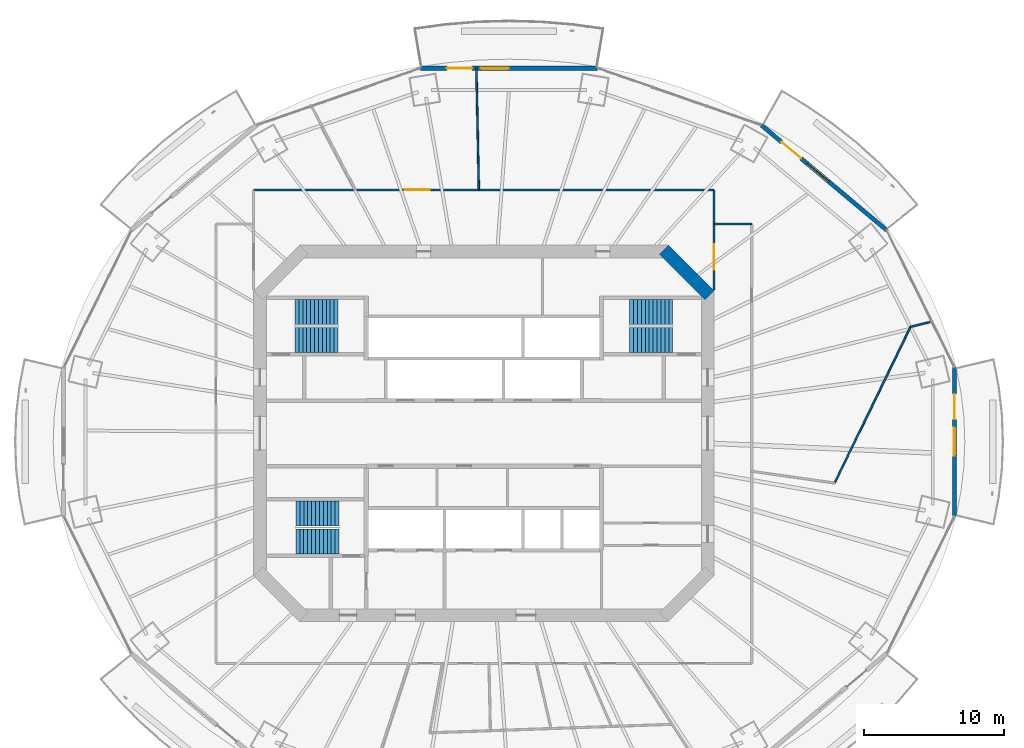
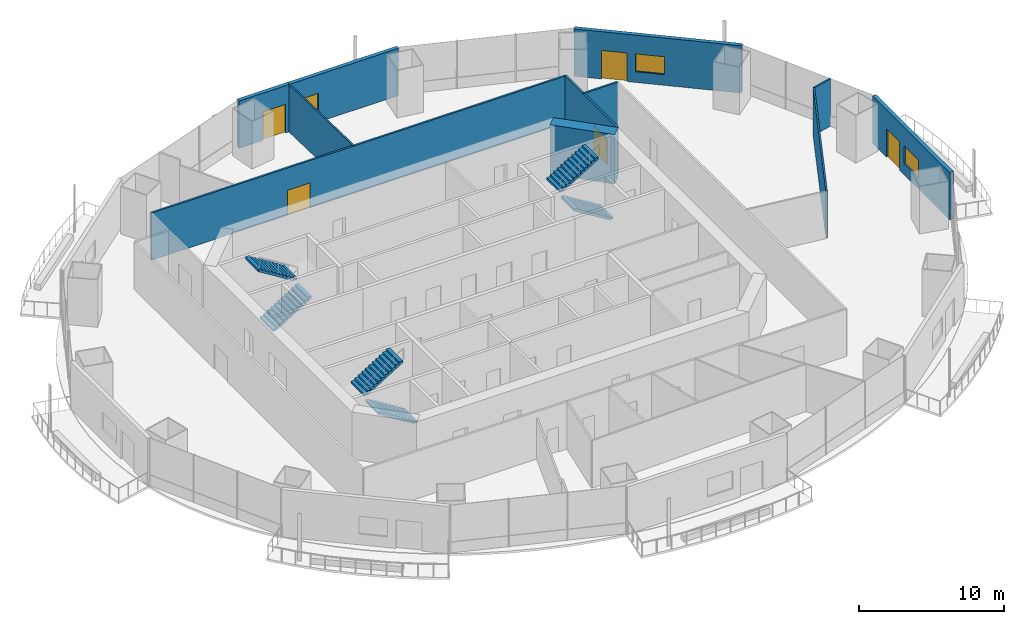
# One storey, part 14 of 20: 10 walls, 6 stair flights, 5 doors, 3 windows, 8 openings, 3 elements without a shape of their own.
"""IFC4 building model written with IfcOpenShell, lengths in metres."""

import ifcopenshell
import ifcopenshell.guid

model = None  # the IFC model being written
_history = None  # IfcOwnerHistory: only IFC2X3 demands one
_inside = {}  # id of a spatial element -> (the spatial element, [elements in it])
_under = {}  # id of a project, library or spatial element -> (it, [spatial elements below it])
_declared = {}  # id of a project -> (the project, [libraries it declares])
_typed = {}  # id of a type object -> (the type object, [elements of that type])
_made_of = {}  # id of a material, layer set ... -> (it, [elements and type objects made of it])


def new_model(schema):
    """Start an empty IFC model of exactly this schema.

    Asked for "IFC4X3", IfcOpenShell would pick the latest addendum, in which some entities
    have other attributes; the version numbers below select the first issue.
    IFC2X3 requires an IfcOwnerHistory on every rooted entity: one is made here for all.
    """
    global model, _history
    if schema == "IFC4X3":
        model = ifcopenshell.file(schema_version=(4, 3, 0, 0))
    else:
        model = ifcopenshell.file(schema=schema)
    _inside.clear()
    _under.clear()
    _declared.clear()
    _typed.clear()
    _made_of.clear()
    _history = None
    if model.schema == "IFC2X3":
        org = make("IfcOrganization", Name="unknown")
        user = make(
            "IfcPersonAndOrganization",
            ThePerson=make("IfcPerson", FamilyName="unknown"),
            TheOrganization=org,
        )
        app = make(
            "IfcApplication",
            ApplicationDeveloper=org,
            Version="unknown",
            ApplicationFullName="unknown",
            ApplicationIdentifier="unknown",
        )
        _history = make(
            "IfcOwnerHistory",
            OwningUser=user,
            OwningApplication=app,
            ChangeAction="ADDED",
            CreationDate=0,
        )
    return model


def make(cls, **values):
    """One entity of the class cls with the attributes given. An attribute that is None is left unset."""
    return model.create_entity(
        cls, **{name: value for name, value in values.items() if value is not None}
    )


def rooted(cls, **values):
    """An entity with a GlobalId (a new one), such as an element, a storey or a relation."""
    return make(cls, GlobalId=ifcopenshell.guid.new(), OwnerHistory=_history, **values)


def si_unit(unit_type, name, prefix=None):
    """IfcSIUnit, for example si_unit("LENGTHUNIT", "METRE", prefix="MILLI")."""
    return make("IfcSIUnit", UnitType=unit_type, Prefix=prefix, Name=name)


def assignment(units):
    """IfcUnitAssignment: the units of a project."""
    return None if units is None else make("IfcUnitAssignment", Units=units)


def point(xyz):
    """IfcCartesianPoint."""
    return None if xyz is None else make("IfcCartesianPoint", Coordinates=xyz)


def direction(xyz):
    """IfcDirection."""
    return None if xyz is None else make("IfcDirection", DirectionRatios=xyz)


def frame(location, z_axis=None, x_axis=None):
    """IfcAxis2Placement3D, a coordinate frame: its origin and axes. An axis left out is left unset."""
    return make(
        "IfcAxis2Placement3D",
        Location=point(location),
        Axis=direction(z_axis),
        RefDirection=direction(x_axis),
    )


def frame_2d(location, x_axis=None):
    """IfcAxis2Placement2D, a coordinate frame in the plane: its origin and x axis."""
    return make(
        "IfcAxis2Placement2D", Location=point(location), RefDirection=direction(x_axis)
    )


def origin():
    """The frame at (0, 0, 0) with its axes left unset."""
    return frame((0.0, 0.0, 0.0))


def place(relative_to, where):
    """IfcLocalPlacement: puts the frame where relative to a parent placement (None: the world)."""
    return make(
        "IfcLocalPlacement", PlacementRelTo=relative_to, RelativePlacement=where
    )


def context(
    kind, dimensions, precision=None, world=None, true_north=None, identifier=None
):
    """IfcGeometricRepresentationContext, for example the 3D "Model" context."""
    return make(
        "IfcGeometricRepresentationContext",
        ContextIdentifier=identifier,
        ContextType=kind,
        CoordinateSpaceDimension=dimensions,
        Precision=precision,
        WorldCoordinateSystem=world,
        TrueNorth=true_north,
    )


def subcontext(parent, identifier, kind, view, scale=None):
    """IfcGeometricRepresentationSubContext, for example "Body" below "Model"."""
    return make(
        "IfcGeometricRepresentationSubContext",
        ContextIdentifier=identifier,
        ContextType=kind,
        ParentContext=parent,
        TargetScale=scale,
        TargetView=view,
    )


def project(units=None, contexts=None):
    """IfcProject with its units and contexts."""
    return rooted(
        "IfcProject",
        Name="project",
        RepresentationContexts=contexts,
        UnitsInContext=assignment(units),
    )


def spatial(cls, under=None, at=None, **own):
    """A site, building, storey or space (cls), placed at a placement, below another one or the project."""
    s = rooted(cls, ObjectPlacement=at, **own)
    if under is not None:
        _under.setdefault(under.id(), (under, []))[1].append(s)
    return s


def polyline(points):
    """IfcPolyline through the points."""
    return make("IfcPolyline", Points=[point(p) for p in points])


def profile(cls, at=None, kind="AREA", **sizes):
    """A parametric profile (cls). Its sizes go by their IFC names, for example OverallWidth=200.0."""
    return make(cls, ProfileType=kind, Position=at, **sizes)


def rectangle(**sizes):
    """IfcRectangleProfileDef."""
    return profile("IfcRectangleProfileDef", **sizes)


def outline(outer, holes=None, kind="AREA"):
    """IfcArbitraryClosedProfileDef: a profile drawn as a closed curve; with holes, ...WithVoids."""
    if holes is None:
        return make("IfcArbitraryClosedProfileDef", ProfileType=kind, OuterCurve=outer)
    return make(
        "IfcArbitraryProfileDefWithVoids",
        ProfileType=kind,
        OuterCurve=outer,
        InnerCurves=holes,
    )


def extrude(swept, where, along, depth):
    """IfcExtrudedAreaSolid: the profile swept, set in the frame where, extruded along a direction by depth."""
    return make(
        "IfcExtrudedAreaSolid",
        SweptArea=swept,
        Position=where,
        ExtrudedDirection=direction(along),
        Depth=depth,
    )


def shape(context_of_items, identifier, shape_type, items):
    """IfcShapeRepresentation: the items that make up one representation, for example the "Body"."""
    return make(
        "IfcShapeRepresentation",
        ContextOfItems=context_of_items,
        RepresentationIdentifier=identifier,
        RepresentationType=shape_type,
        Items=items,
    )


def material(Name=None, Category=None):
    """IfcMaterial."""
    return make("IfcMaterial", Name=Name, Category=Category)


def layer(
    of_material, thickness, ventilated=None, Name=None, Category=None, Priority=None
):
    """IfcMaterialLayer: one layer of a wall or slab, of a material (None: an air gap)."""
    return make(
        "IfcMaterialLayer",
        Material=of_material,
        LayerThickness=thickness,
        IsVentilated=ventilated,
        Name=Name,
        Category=Category,
        Priority=Priority,
    )


def layer_set(layers, Name=None):
    """IfcMaterialLayerSet."""
    return make("IfcMaterialLayerSet", MaterialLayers=layers, LayerSetName=Name)


def made_of(thing, what):
    """Note that an element or type object is made of a material, layer set ...; save() writes the relation."""
    if what is not None:
        _made_of.setdefault(what.id(), (what, []))[1].append(thing)
    return thing


def type_object(cls, material=None, **own):
    """A type object (cls), such as IfcWallType, which elements share."""
    return made_of(rooted(cls, **own), material)


def element(
    cls,
    number,
    at=None,
    inside=None,
    cuts=None,
    type_object=None,
    material=None,
    context=None,
    identifier="Body",
    shape_type=None,
    held_by="IfcProductDefinitionShape",
    body=None,
    shapes=None,
    **own,
):
    """One element of the class cls, such as IfcWall. Its Tag is "e" and its number.

    at: its placement. inside: the storey or other place that contains it. cuts: it is an
    opening in that element (IfcRelVoidsElement). A single representation is given by context,
    identifier, shape_type and body (its items); several are given by shapes. held_by: the class
    of the entity that holds the representations. save() writes the other relations.
    """
    e = rooted(cls, Tag="e%d" % number, ObjectPlacement=at, **own)
    if body is not None:
        shapes = [shape(context, identifier, shape_type, body)]
    if shapes is not None:
        e.Representation = make(held_by, Representations=shapes)
    if inside is not None:
        _inside.setdefault(inside.id(), (inside, []))[1].append(e)
    if cuts is not None:
        rooted(
            "IfcRelVoidsElement", RelatingBuildingElement=cuts, RelatedOpeningElement=e
        )
    if type_object is not None:
        _typed.setdefault(type_object.id(), (type_object, []))[1].append(e)
    return made_of(e, material)


def fill(opening, filler):
    """IfcRelFillsElement: the door or window that sits in an opening."""
    return rooted(
        "IfcRelFillsElement",
        RelatingOpeningElement=opening,
        RelatedBuildingElement=filler,
    )


def aggregate(whole, parts):
    """IfcRelAggregates: a whole, such as a stair, and the parts it consists of."""
    return rooted("IfcRelAggregates", RelatingObject=whole, RelatedObjects=parts)


def save(model, path):
    """Write the relations noted so far, then the file.

    IfcRelAggregates (storeys below a building ...), IfcRelContainedInSpatialStructure (elements
    in a storey), IfcRelDefinesByType, IfcRelAssociatesMaterial and IfcRelDeclares: one each for
    every whole, place, type object, material and project.
    """
    for whole, parts in _under.values():
        aggregate(whole, parts)
    for where, things in _inside.values():
        rooted(
            "IfcRelContainedInSpatialStructure",
            RelatedElements=things,
            RelatingStructure=where,
        )
    for kind, things in _typed.values():
        rooted("IfcRelDefinesByType", RelatedObjects=things, RelatingType=kind)
    for what, things in _made_of.values():
        rooted("IfcRelAssociatesMaterial", RelatedObjects=things, RelatingMaterial=what)
    for by, libraries in _declared.values():
        rooted("IfcRelDeclares", RelatingContext=by, RelatedDefinitions=libraries)
    model.write(path)


model = new_model("IFC4")

# Units and contexts
model_context = context("Model", 3, precision=1e-05, world=origin(), true_north=direction((0.0, 1.0)))
body_context = subcontext(model_context, "Body", "Model", "MODEL_VIEW")
ifc_project = project(units=[si_unit("LENGTHUNIT", "METRE"), si_unit("AREAUNIT", "SQUARE_METRE"), si_unit("VOLUMEUNIT", "CUBIC_METRE"), si_unit("PLANEANGLEUNIT", "RADIAN"), si_unit("MASSUNIT", "GRAM", prefix="KILO")], contexts=[model_context])

# Site, building, storey
site_placement = place(None, origin())
site = spatial("IfcSite", under=ifc_project, at=site_placement, CompositionType="ELEMENT")
building_placement = place(site_placement, origin())
building = spatial("IfcBuilding", under=site, at=building_placement, Name="Marenthal Gate Tower", CompositionType="ELEMENT")
storey_placement = place(building_placement, frame((0.0, 0.0, 177.64990234375)))
storey = spatial("IfcBuildingStorey", under=building, at=storey_placement, Name="L38", CompositionType="ELEMENT", Elevation=177.64990234375)

# Walls
ifc_material_1 = material(Name="Concrete 60 MPa", Category="concrete")
ifc_layer_1 = layer(ifc_material_1, 0.89990234375)
ifc_layer_set_1 = layer_set([ifc_layer_1], Name="Core shear wall 900")
wall_type_1 = type_object("IfcWallType", Name="Core shear wall 900", PredefinedType="SHEAR", material=ifc_layer_set_1)
wall_1_placement = place(storey_placement, frame((16.1318359375, 9.8681640625, -0.179931640625), z_axis=(0.0, 0.0, 1.0), x_axis=(-0.707106781187, 0.707106781187, 0.0)))
element("IfcWall", 1, at=wall_1_placement, inside=storey, type_object=wall_type_1, Name="Core wall 03", PredefinedType="SHEAR", context=body_context, shape_type="SweptSolid", body=[
    extrude(rectangle(XDim=4.615478515625, YDim=0.89990234375, at=frame_2d((2.3076171875, 0.0))), origin(), (0.0, 0.0, 1.0), 4.150146484375),
])
ifc_material_2 = material(Name="Gypsum board on steel studs", Category="steel")
ifc_layer_2 = layer(ifc_material_2, 0.1201171875)
ifc_layer_set_2 = layer_set([ifc_layer_2], Name="Partition 120")
wall_type_2 = type_object("IfcWallType", Name="Partition 120", PredefinedType="PARTITIONING", material=ifc_layer_set_2)
wall_2_placement = place(storey_placement, frame((-0.354736328125, 17.408935546875, 0.0), z_axis=(0.0, 0.0, 1.0), x_axis=(-0.020383295859, 0.999792239043, 0.0)))
element("IfcWall", 2, at=wall_2_placement, inside=storey, type_object=wall_type_2, Name="Partition wall 58", PredefinedType="PARTITIONING", context=body_context, shape_type="SweptSolid", body=[
    extrude(rectangle(XDim=8.695556640625, YDim=0.1201171875, at=frame_2d((4.34765625, 0.0))), origin(), (0.0, 0.0, 1.0), 3.97021484375),
])
wall_3_placement = place(storey_placement, frame((25.072998046875, -3.546630859375, 0.0), z_axis=(0.0, 0.0, 1.0), x_axis=(0.437335020704, 0.899298659882, 0.0)))
element("IfcWall", 3, at=wall_3_placement, inside=storey, type_object=wall_type_2, Name="Partition wall 67", PredefinedType="PARTITIONING", context=body_context, shape_type="SweptSolid", body=[
    extrude(rectangle(XDim=12.410888671875, YDim=0.1201171875, at=frame_2d((6.20556640625, 0.0))), origin(), (0.0, 0.0, 1.0), 3.97021484375),
])
wall_4_placement = place(storey_placement, frame((30.500732421875, 7.614501953125, 0.0), z_axis=(0.0, 0.0, 1.0), x_axis=(0.970252935934, 0.242093453672, 0.0)))
element("IfcWall", 4, at=wall_4_placement, inside=storey, type_object=wall_type_2, Name="Partition wall 69", PredefinedType="PARTITIONING", context=body_context, shape_type="SweptSolid", body=[
    extrude(rectangle(XDim=1.55908203125, YDim=0.1201171875, at=frame_2d((0.779541015625, 0.0))), origin(), (0.0, 0.0, 1.0), 3.97021484375),
])

# Wall, opening, door
ifc_material_3 = material(Name="Gypsum board on steel studs", Category="steel")
ifc_layer_3 = layer(ifc_material_3, 0.14990234375)
ifc_layer_set_3 = layer_set([ifc_layer_3], Name="Partition 150")
wall_type_3 = type_object("IfcWallType", Name="Partition 150", PredefinedType="PARTITIONING", material=ifc_layer_set_3)
wall_5_placement = place(storey_placement, frame((-16.449951171875, 17.408935546875, 0.0), z_axis=(0.0, 0.0, 1.0), x_axis=(1.0, 0.0, 0.0)))
wall_5 = element("IfcWall", 5, at=wall_5_placement, inside=storey, type_object=wall_type_3, Name="Partition wall 53", PredefinedType="PARTITIONING", context=body_context, shape_type="SweptSolid", body=[
    extrude(rectangle(XDim=32.89990234375, YDim=0.14990234375, at=frame_2d((16.449951171875, 0.0))), origin(), (0.0, 0.0, 1.0), 3.97021484375),
])
opening_1_placement = place(wall_5_placement, frame((10.7880859375, 0.0, 0.0)))
opening_1 = element("IfcOpeningElement", 6, at=opening_1_placement, cuts=wall_5, Name="Opening D014.01", PredefinedType="OPENING", context=body_context, shape_type="SweptSolid", body=[
    extrude(rectangle(XDim=1.800048828125, YDim=2.10009765625, at=frame_2d((0.89990234375, 1.050048828125))), frame((0.0, 0.0849609375, 0.0), z_axis=(0.0, -1.0, 0.0), x_axis=(1.0, 0.0, 0.0)), (0.0, 0.0, 1.0), 0.169921875),
])
ifc_material_4 = material(Name="Timber door", Category="wood")
door_type_1 = type_object("IfcDoorType", Name="Double door 1800 x 2100", OperationType="DOUBLE_DOOR_SINGLE_SWING", PredefinedType="DOOR", material=ifc_material_4)
door_1_placement = place(opening_1_placement, origin())
door_1 = element("IfcDoor", 7, at=door_1_placement, inside=storey, type_object=door_type_1, Name="Door D014.01", OperationType="DOUBLE_DOOR_SINGLE_SWING", OverallHeight=2.10009765625, OverallWidth=1.800048828125, PredefinedType="DOOR", context=body_context, shape_type="SweptSolid", body=[
    extrude(rectangle(XDim=1.800048828125, YDim=2.10009765625, at=frame_2d((0.89990234375, 1.050048828125))), frame((0.0, 0.02490234375, 0.0), z_axis=(0.0, -1.0, 0.0), x_axis=(1.0, 0.0, 0.0)), (0.0, 0.0, 1.0), 0.050048828125),
])
fill(opening_1, door_1)

wall_6_placement = place(storey_placement, frame((16.449951171875, 10.25, 0.0), z_axis=(0.0, 0.0, 1.0), x_axis=(0.0, 1.0, 0.0)))
wall_6 = element("IfcWall", 8, at=wall_6_placement, inside=storey, type_object=wall_type_3, Name="Partition wall 63", PredefinedType="PARTITIONING", context=body_context, shape_type="SweptSolid", body=[
    extrude(rectangle(XDim=7.158935546875, YDim=0.14990234375, at=frame_2d((3.57958984375, 0.0))), origin(), (0.0, 0.0, 1.0), 3.97021484375),
])
opening_2_placement = place(wall_6_placement, frame((1.451904296875, 0.0, 0.0)))
opening_2 = element("IfcOpeningElement", 9, at=opening_2_placement, cuts=wall_6, Name="Opening D014.05", PredefinedType="OPENING", context=body_context, shape_type="SweptSolid", body=[
    extrude(rectangle(XDim=1.800048828125, YDim=2.10009765625, at=frame_2d((0.89990234375, 1.050048828125))), frame((0.0, 0.0849609375, 0.0), z_axis=(0.0, -1.0, 0.0), x_axis=(1.0, 0.0, 0.0)), (0.0, 0.0, 1.0), 0.169921875),
])
door_2_placement = place(opening_2_placement, origin())
door_2 = element("IfcDoor", 10, at=door_2_placement, inside=storey, type_object=door_type_1, Name="Door D014.05", OperationType="DOUBLE_DOOR_SINGLE_SWING", OverallHeight=2.10009765625, OverallWidth=1.800048828125, PredefinedType="DOOR", context=body_context, shape_type="SweptSolid", body=[
    extrude(rectangle(XDim=1.800048828125, YDim=2.10009765625, at=frame_2d((0.89990234375, 1.050048828125))), frame((0.0, 0.02490234375, 0.0), z_axis=(0.0, -1.0, 0.0), x_axis=(1.0, 0.0, 0.0)), (0.0, 0.0, 1.0), 0.050048828125),
])
fill(opening_2, door_2)

# Wall
wall_7_placement = place(storey_placement, frame((16.449951171875, 14.954833984375, 0.0), z_axis=(0.0, 0.0, 1.0), x_axis=(1.0, 0.0, 0.0)))
element("IfcWall", 11, at=wall_7_placement, inside=storey, type_object=wall_type_3, Name="Partition wall 64", PredefinedType="PARTITIONING", context=body_context, shape_type="SweptSolid", body=[
    extrude(rectangle(XDim=2.699951171875, YDim=0.14990234375, at=frame_2d((1.35009765625, 0.0))), origin(), (0.0, 0.0, 1.0), 3.97021484375),
])

# Wall, openings, door, window
ifc_material_5 = material(Name="Terracotta cladding on insulated concrete-block backing", Category="masonry")
ifc_layer_4 = layer(ifc_material_5, 0.300048828125)
ifc_layer_set_4 = layer_set([ifc_layer_4], Name="Terracotta facade wall 300")
wall_type_4 = type_object("IfcWallType", Name="Terracotta facade wall 300", PredefinedType="SOLIDWALL", material=ifc_layer_set_4)
wall_8_placement = place(storey_placement, frame((28.787109375, 14.52587890625, 0.0), z_axis=(0.0, 0.0, 1.0), x_axis=(-0.766149077679, 0.642662890458, 0.0)))
wall_8 = element("IfcWall", 12, at=wall_8_placement, inside=storey, type_object=wall_type_4, Name="Terracotta facade wall L38 bay 2", PredefinedType="SOLIDWALL", context=body_context, shape_type="SweptSolid", body=[
    extrude(rectangle(XDim=11.6884765625, YDim=0.300048828125, at=frame_2d((5.84423828125, 0.0))), origin(), (0.0, 0.0, 1.0), 3.97021484375),
])
opening_3_placement = place(wall_8_placement, frame((7.98828125, 0.0, 0.0)))
opening_3 = element("IfcOpeningElement", 13, at=opening_3_placement, cuts=wall_8, Name="Opening BD-L38-02", PredefinedType="OPENING", context=body_context, shape_type="SweptSolid", body=[
    extrude(rectangle(XDim=1.800048828125, YDim=2.39990234375, at=frame_2d((0.89990234375, 1.199951171875))), frame((0.0, 0.16015625, 0.0), z_axis=(0.0, -1.0, 0.0), x_axis=(1.0, 0.0, 0.0)), (0.0, 0.0, 1.0), 0.320068359375),
])
opening_4_placement = place(wall_8_placement, frame((5.38818359375, 0.0, 0.89990234375)))
opening_4 = element("IfcOpeningElement", 14, at=opening_4_placement, cuts=wall_8, Name="Opening WN2-L38-02", PredefinedType="OPENING", context=body_context, shape_type="SweptSolid", body=[
    extrude(rectangle(XDim=2.0, YDim=1.5, at=frame_2d((1.0, 0.75))), frame((0.0, 0.16015625, 0.0), z_axis=(0.0, -1.0, 0.0), x_axis=(1.0, 0.0, 0.0)), (0.0, 0.0, 1.0), 0.320068359375),
])
ifc_material_6 = material(Name="Aluminium and glass", Category="aluminium")
door_type_2 = type_object("IfcDoorType", Name="Balcony door 1800x2400", OperationType="DOUBLE_DOOR_SINGLE_SWING", PredefinedType="DOOR", material=ifc_material_6)
door_3_placement = place(opening_3_placement, origin())
door_3 = element("IfcDoor", 15, at=door_3_placement, inside=storey, type_object=door_type_2, Name="Balcony door L38 bay 2", OperationType="SINGLE_SWING_LEFT", OverallHeight=2.39990234375, OverallWidth=1.800048828125, PredefinedType="DOOR", context=body_context, shape_type="SweptSolid", body=[
    extrude(rectangle(XDim=1.800048828125, YDim=2.39990234375, at=frame_2d((0.89990234375, 1.199951171875))), frame((0.0, 0.02490234375, 0.0), z_axis=(0.0, -1.0, 0.0), x_axis=(1.0, 0.0, 0.0)), (0.0, 0.0, 1.0), 0.050048828125),
])
fill(opening_3, door_3)
ifc_material_7 = material(Name="Aluminium and glass", Category="aluminium")
window_type = type_object("IfcWindowType", Name="Window 2000x1500", PartitioningType="DOUBLE_PANEL_VERTICAL", PredefinedType="WINDOW", material=ifc_material_7)
window_1_placement = place(opening_4_placement, origin())
window_1 = element("IfcWindow", 16, at=window_1_placement, inside=storey, type_object=window_type, Name="Window L38 bay 2", OverallHeight=1.5, OverallWidth=2.0, PartitioningType="SINGLE_PANEL", PredefinedType="WINDOW", context=body_context, shape_type="SweptSolid", body=[
    extrude(rectangle(XDim=2.0, YDim=1.5, at=frame_2d((1.0, 0.75))), frame((0.0, 0.030029296875, 0.0), z_axis=(0.0, -1.0, 0.0), x_axis=(1.0, 0.0, 0.0)), (0.0, 0.0, 1.0), 0.06005859375),
])
fill(opening_4, window_1)

wall_9_placement = place(storey_placement, frame((8.132080078125, 26.102783203125, 0.0), z_axis=(0.0, 0.0, 1.0), x_axis=(-1.0, 0.0, 0.0)))
wall_9 = element("IfcWall", 17, at=wall_9_placement, inside=storey, type_object=wall_type_4, Name="Terracotta facade wall L38 bay 4", PredefinedType="SOLIDWALL", context=body_context, shape_type="SweptSolid", body=[
    extrude(rectangle(XDim=12.6640625, YDim=0.300048828125, at=frame_2d((6.33203125, 0.0))), origin(), (0.0, 0.0, 1.0), 3.97021484375),
])
opening_5_placement = place(wall_9_placement, frame((8.964111328125, 0.0, 0.0)))
opening_5 = element("IfcOpeningElement", 18, at=opening_5_placement, cuts=wall_9, Name="Opening BD-L38-04", PredefinedType="OPENING", context=body_context, shape_type="SweptSolid", body=[
    extrude(rectangle(XDim=1.800048828125, YDim=2.39990234375, at=frame_2d((0.89990234375, 1.199951171875))), frame((0.0, 0.16015625, 0.0), z_axis=(0.0, -1.0, 0.0), x_axis=(1.0, 0.0, 0.0)), (0.0, 0.0, 1.0), 0.320068359375),
])
opening_6_placement = place(wall_9_placement, frame((6.364013671875, 0.0, 0.89990234375)))
opening_6 = element("IfcOpeningElement", 19, at=opening_6_placement, cuts=wall_9, Name="Opening WN2-L38-04", PredefinedType="OPENING", context=body_context, shape_type="SweptSolid", body=[
    extrude(rectangle(XDim=2.0, YDim=1.5, at=frame_2d((1.0, 0.75))), frame((0.0, 0.16015625, 0.0), z_axis=(0.0, -1.0, 0.0), x_axis=(1.0, 0.0, 0.0)), (0.0, 0.0, 1.0), 0.320068359375),
])
door_4_placement = place(opening_5_placement, origin())
door_4 = element("IfcDoor", 20, at=door_4_placement, inside=storey, type_object=door_type_2, Name="Balcony door L38 bay 4", OperationType="SINGLE_SWING_LEFT", OverallHeight=2.39990234375, OverallWidth=1.800048828125, PredefinedType="DOOR", context=body_context, shape_type="SweptSolid", body=[
    extrude(rectangle(XDim=1.800048828125, YDim=2.39990234375, at=frame_2d((0.89990234375, 1.199951171875))), frame((0.0, 0.02490234375, 0.0), z_axis=(0.0, -1.0, 0.0), x_axis=(1.0, 0.0, 0.0)), (0.0, 0.0, 1.0), 0.050048828125),
])
fill(opening_5, door_4)
window_2_placement = place(opening_6_placement, origin())
window_2 = element("IfcWindow", 21, at=window_2_placement, inside=storey, type_object=window_type, Name="Window L38 bay 4", OverallHeight=1.5, OverallWidth=2.0, PartitioningType="SINGLE_PANEL", PredefinedType="WINDOW", context=body_context, shape_type="SweptSolid", body=[
    extrude(rectangle(XDim=2.0, YDim=1.5, at=frame_2d((1.0, 0.75))), frame((0.0, 0.030029296875, 0.0), z_axis=(0.0, -1.0, 0.0), x_axis=(1.0, 0.0, 0.0)), (0.0, 0.0, 1.0), 0.06005859375),
])
fill(opening_6, window_2)

wall_10_placement = place(storey_placement, frame((33.63330078125, -5.91162109375, 0.0), z_axis=(0.0, 0.0, 1.0), x_axis=(0.0, 1.0, 0.0)))
wall_10 = element("IfcWall", 22, at=wall_10_placement, inside=storey, type_object=wall_type_4, Name="Terracotta facade wall L38 bay 16", PredefinedType="SOLIDWALL", context=body_context, shape_type="SweptSolid", body=[
    extrude(rectangle(XDim=10.623046875, YDim=0.300048828125, at=frame_2d((5.3115234375, 0.0))), origin(), (0.0, 0.0, 1.0), 3.97021484375),
])
opening_7_placement = place(wall_10_placement, frame((6.923095703125, 0.0, 0.0)))
opening_7 = element("IfcOpeningElement", 23, at=opening_7_placement, cuts=wall_10, Name="Opening BD-L38-16", PredefinedType="OPENING", context=body_context, shape_type="SweptSolid", body=[
    extrude(rectangle(XDim=1.800048828125, YDim=2.39990234375, at=frame_2d((0.89990234375, 1.199951171875))), frame((0.0, 0.16015625, 0.0), z_axis=(0.0, -1.0, 0.0), x_axis=(1.0, 0.0, 0.0)), (0.0, 0.0, 1.0), 0.320068359375),
])
opening_8_placement = place(wall_10_placement, frame((4.322998046875, 0.0, 0.89990234375)))
opening_8 = element("IfcOpeningElement", 24, at=opening_8_placement, cuts=wall_10, Name="Opening WN2-L38-16", PredefinedType="OPENING", context=body_context, shape_type="SweptSolid", body=[
    extrude(rectangle(XDim=2.0, YDim=1.5, at=frame_2d((1.0, 0.75))), frame((0.0, 0.16015625, 0.0), z_axis=(0.0, -1.0, 0.0), x_axis=(1.0, 0.0, 0.0)), (0.0, 0.0, 1.0), 0.320068359375),
])
door_5_placement = place(opening_7_placement, origin())
door_5 = element("IfcDoor", 25, at=door_5_placement, inside=storey, type_object=door_type_2, Name="Balcony door L38 bay 16", OperationType="SINGLE_SWING_LEFT", OverallHeight=2.39990234375, OverallWidth=1.800048828125, PredefinedType="DOOR", context=body_context, shape_type="SweptSolid", body=[
    extrude(rectangle(XDim=1.800048828125, YDim=2.39990234375, at=frame_2d((0.89990234375, 1.199951171875))), frame((0.0, 0.02490234375, 0.0), z_axis=(0.0, -1.0, 0.0), x_axis=(1.0, 0.0, 0.0)), (0.0, 0.0, 1.0), 0.050048828125),
])
fill(opening_7, door_5)
window_3_placement = place(opening_8_placement, origin())
window_3 = element("IfcWindow", 26, at=window_3_placement, inside=storey, type_object=window_type, Name="Window L38 bay 16", OverallHeight=1.5, OverallWidth=2.0, PartitioningType="SINGLE_PANEL", PredefinedType="WINDOW", context=body_context, shape_type="SweptSolid", body=[
    extrude(rectangle(XDim=2.0, YDim=1.5, at=frame_2d((1.0, 0.75))), frame((0.0, 0.030029296875, 0.0), z_axis=(0.0, -1.0, 0.0), x_axis=(1.0, 0.0, 0.0)), (0.0, 0.0, 1.0), 0.06005859375),
])
fill(opening_8, window_3)

# Stair, stair flights
ifc_material_8 = material(Name="Concrete 40 MPa", Category="concrete")
stair_type = type_object("IfcStairType", Name="Exit stair 1800", PredefinedType="HALF_TURN_STAIR", material=ifc_material_8)
stair_1_placement = place(storey_placement, origin())
stair_1 = element("IfcStair", 27, at=stair_1_placement, inside=storey, type_object=stair_type, Name="Stair ST1", PredefinedType="HALF_TURN_STAIR")
ifc_material_9 = material(Name="Concrete 40 MPa", Category="concrete")
stair_flight_type = type_object("IfcStairFlightType", Name="Stair flight 1800", PredefinedType="STRAIGHT", material=ifc_material_9)
stair_flight_1_placement = place(storey_placement, frame((-13.5, 6.675048828125, 0.0), z_axis=(0.0, 0.0, 1.0), x_axis=(1.0, 0.0, 0.0)))
stair_flight_1 = element("IfcStairFlight", 28, at=stair_flight_1_placement, type_object=stair_flight_type, Name="ST1 flight 1", NumberOfRisers=12, NumberOfTreads=11, PredefinedType="STRAIGHT", RiserHeight=0.172916667, TreadLength=0.28, context=body_context, shape_type="SweptSolid", body=[
    extrude(outline(polyline([(0.0, 0.0), (0.0, 0.1728515625), (0.280029296875, 0.1728515625), (0.280029296875, 0.345947265625), (0.56005859375, 0.345947265625), (0.56005859375, 0.518798828125), (0.840087890625, 0.518798828125), (0.840087890625, 0.691650390625), (1.1201171875, 0.691650390625), (1.1201171875, 0.864501953125), (1.39990234375, 0.864501953125), (1.39990234375, 1.03759765625), (1.679931640625, 1.03759765625), (1.679931640625, 1.21044921875), (1.9599609375, 1.21044921875), (1.9599609375, 1.38330078125), (2.239990234375, 1.38330078125), (2.239990234375, 1.55615234375), (2.52001953125, 1.55615234375), (2.52001953125, 1.729248046875), (2.800048828125, 1.729248046875), (2.800048828125, 1.902099609375), (3.080078125, 1.902099609375), (3.080078125, 2.074951171875), (3.080078125, 1.725830078125), (0.285400390625, 0.0), (0.0, 0.0)])), frame((0.0, 0.89990234375, 0.0), z_axis=(0.0, -1.0, 0.0), x_axis=(1.0, 0.0, 0.0)), (0.0, 0.0, 1.0), 1.800048828125),
])
stair_flight_2_placement = place(storey_placement, frame((-10.419921875, 8.675048828125, 2.0751953125), z_axis=(0.0, 0.0, 1.0), x_axis=(-1.0, 0.0, 0.0)))
stair_flight_2 = element("IfcStairFlight", 29, at=stair_flight_2_placement, type_object=stair_flight_type, Name="ST1 flight 2", NumberOfRisers=12, NumberOfTreads=11, PredefinedType="STRAIGHT", RiserHeight=0.172916667, TreadLength=0.28, context=body_context, shape_type="SweptSolid", body=[
    extrude(outline(polyline([(0.0, 0.0), (0.0, 0.1728515625), (0.280029296875, 0.1728515625), (0.280029296875, 0.345947265625), (0.56005859375, 0.345947265625), (0.56005859375, 0.518798828125), (0.840087890625, 0.518798828125), (0.840087890625, 0.691650390625), (1.1201171875, 0.691650390625), (1.1201171875, 0.864501953125), (1.39990234375, 0.864501953125), (1.39990234375, 1.03759765625), (1.679931640625, 1.03759765625), (1.679931640625, 1.21044921875), (1.9599609375, 1.21044921875), (1.9599609375, 1.38330078125), (2.239990234375, 1.38330078125), (2.239990234375, 1.55615234375), (2.52001953125, 1.55615234375), (2.52001953125, 1.729248046875), (2.800048828125, 1.729248046875), (2.800048828125, 1.902099609375), (3.080078125, 1.902099609375), (3.080078125, 2.074951171875), (3.080078125, 1.725830078125), (0.285400390625, 0.0), (0.0, 0.0)])), frame((0.0, 0.89990234375, 0.0), z_axis=(0.0, -1.0, 0.0), x_axis=(1.0, 0.0, 0.0)), (0.0, 0.0, 1.0), 1.800048828125),
])
aggregate(stair_1, [stair_flight_1, stair_flight_2])

stair_2_placement = place(storey_placement, origin())
stair_2 = element("IfcStair", 30, at=stair_2_placement, inside=storey, type_object=stair_type, Name="Stair ST2", PredefinedType="HALF_TURN_STAIR")
stair_flight_3_placement = place(storey_placement, frame((-10.35009765625, -7.72509765625, 0.0), z_axis=(0.0, 0.0, 1.0), x_axis=(-1.0, 0.0, 0.0)))
stair_flight_3 = element("IfcStairFlight", 31, at=stair_flight_3_placement, type_object=stair_flight_type, Name="ST2 flight 1", NumberOfRisers=12, NumberOfTreads=11, PredefinedType="STRAIGHT", RiserHeight=0.172916667, TreadLength=0.28, context=body_context, shape_type="SweptSolid", body=[
    extrude(outline(polyline([(0.0, 0.0), (0.0, 0.1728515625), (0.280029296875, 0.1728515625), (0.280029296875, 0.345947265625), (0.56005859375, 0.345947265625), (0.56005859375, 0.518798828125), (0.840087890625, 0.518798828125), (0.840087890625, 0.691650390625), (1.1201171875, 0.691650390625), (1.1201171875, 0.864501953125), (1.39990234375, 0.864501953125), (1.39990234375, 1.03759765625), (1.679931640625, 1.03759765625), (1.679931640625, 1.21044921875), (1.9599609375, 1.21044921875), (1.9599609375, 1.38330078125), (2.239990234375, 1.38330078125), (2.239990234375, 1.55615234375), (2.52001953125, 1.55615234375), (2.52001953125, 1.729248046875), (2.800048828125, 1.729248046875), (2.800048828125, 1.902099609375), (3.080078125, 1.902099609375), (3.080078125, 2.074951171875), (3.080078125, 1.725830078125), (0.285400390625, 0.0), (0.0, 0.0)])), frame((0.0, 0.89990234375, 0.0), z_axis=(0.0, -1.0, 0.0), x_axis=(1.0, 0.0, 0.0)), (0.0, 0.0, 1.0), 1.800048828125),
])
stair_flight_4_placement = place(storey_placement, frame((-13.429931640625, -5.72509765625, 2.0751953125), z_axis=(0.0, 0.0, 1.0), x_axis=(1.0, 0.0, 0.0)))
stair_flight_4 = element("IfcStairFlight", 32, at=stair_flight_4_placement, type_object=stair_flight_type, Name="ST2 flight 2", NumberOfRisers=12, NumberOfTreads=11, PredefinedType="STRAIGHT", RiserHeight=0.172916667, TreadLength=0.28, context=body_context, shape_type="SweptSolid", body=[
    extrude(outline(polyline([(0.0, 0.0), (0.0, 0.1728515625), (0.280029296875, 0.1728515625), (0.280029296875, 0.345947265625), (0.56005859375, 0.345947265625), (0.56005859375, 0.518798828125), (0.840087890625, 0.518798828125), (0.840087890625, 0.691650390625), (1.1201171875, 0.691650390625), (1.1201171875, 0.864501953125), (1.39990234375, 0.864501953125), (1.39990234375, 1.03759765625), (1.679931640625, 1.03759765625), (1.679931640625, 1.21044921875), (1.9599609375, 1.21044921875), (1.9599609375, 1.38330078125), (2.239990234375, 1.38330078125), (2.239990234375, 1.55615234375), (2.52001953125, 1.55615234375), (2.52001953125, 1.729248046875), (2.800048828125, 1.729248046875), (2.800048828125, 1.902099609375), (3.080078125, 1.902099609375), (3.080078125, 2.074951171875), (3.080078125, 1.725830078125), (0.285400390625, 0.0), (0.0, 0.0)])), frame((0.0, 0.89990234375, 0.0), z_axis=(0.0, -1.0, 0.0), x_axis=(1.0, 0.0, 0.0)), (0.0, 0.0, 1.0), 1.800048828125),
])
aggregate(stair_2, [stair_flight_3, stair_flight_4])

stair_3_placement = place(storey_placement, origin())
stair_3 = element("IfcStair", 33, at=stair_3_placement, inside=storey, type_object=stair_type, Name="Stair ST3", PredefinedType="HALF_TURN_STAIR")
stair_flight_5_placement = place(storey_placement, frame((13.5, 6.675048828125, 0.0), z_axis=(0.0, 0.0, 1.0), x_axis=(-1.0, 0.0, 0.0)))
stair_flight_5 = element("IfcStairFlight", 34, at=stair_flight_5_placement, type_object=stair_flight_type, Name="ST3 flight 1", NumberOfRisers=12, NumberOfTreads=11, PredefinedType="STRAIGHT", RiserHeight=0.172916667, TreadLength=0.28, context=body_context, shape_type="SweptSolid", body=[
    extrude(outline(polyline([(0.0, 0.0), (0.0, 0.1728515625), (0.280029296875, 0.1728515625), (0.280029296875, 0.345947265625), (0.56005859375, 0.345947265625), (0.56005859375, 0.518798828125), (0.840087890625, 0.518798828125), (0.840087890625, 0.691650390625), (1.1201171875, 0.691650390625), (1.1201171875, 0.864501953125), (1.39990234375, 0.864501953125), (1.39990234375, 1.03759765625), (1.679931640625, 1.03759765625), (1.679931640625, 1.21044921875), (1.9599609375, 1.21044921875), (1.9599609375, 1.38330078125), (2.239990234375, 1.38330078125), (2.239990234375, 1.55615234375), (2.52001953125, 1.55615234375), (2.52001953125, 1.729248046875), (2.800048828125, 1.729248046875), (2.800048828125, 1.902099609375), (3.080078125, 1.902099609375), (3.080078125, 2.074951171875), (3.080078125, 1.725830078125), (0.285400390625, 0.0), (0.0, 0.0)])), frame((0.0, 0.89990234375, 0.0), z_axis=(0.0, -1.0, 0.0), x_axis=(1.0, 0.0, 0.0)), (0.0, 0.0, 1.0), 1.800048828125),
])
stair_flight_6_placement = place(storey_placement, frame((10.419921875, 8.675048828125, 2.0751953125), z_axis=(0.0, 0.0, 1.0), x_axis=(1.0, 0.0, 0.0)))
stair_flight_6 = element("IfcStairFlight", 35, at=stair_flight_6_placement, type_object=stair_flight_type, Name="ST3 flight 2", NumberOfRisers=12, NumberOfTreads=11, PredefinedType="STRAIGHT", RiserHeight=0.172916667, TreadLength=0.28, context=body_context, shape_type="SweptSolid", body=[
    extrude(outline(polyline([(0.0, 0.0), (0.0, 0.1728515625), (0.280029296875, 0.1728515625), (0.280029296875, 0.345947265625), (0.56005859375, 0.345947265625), (0.56005859375, 0.518798828125), (0.840087890625, 0.518798828125), (0.840087890625, 0.691650390625), (1.1201171875, 0.691650390625), (1.1201171875, 0.864501953125), (1.39990234375, 0.864501953125), (1.39990234375, 1.03759765625), (1.679931640625, 1.03759765625), (1.679931640625, 1.21044921875), (1.9599609375, 1.21044921875), (1.9599609375, 1.38330078125), (2.239990234375, 1.38330078125), (2.239990234375, 1.55615234375), (2.52001953125, 1.55615234375), (2.52001953125, 1.729248046875), (2.800048828125, 1.729248046875), (2.800048828125, 1.902099609375), (3.080078125, 1.902099609375), (3.080078125, 2.074951171875), (3.080078125, 1.725830078125), (0.285400390625, 0.0), (0.0, 0.0)])), frame((0.0, 0.89990234375, 0.0), z_axis=(0.0, -1.0, 0.0), x_axis=(1.0, 0.0, 0.0)), (0.0, 0.0, 1.0), 1.800048828125),
])
aggregate(stair_3, [stair_flight_5, stair_flight_6])

save(model, "model.ifc")
